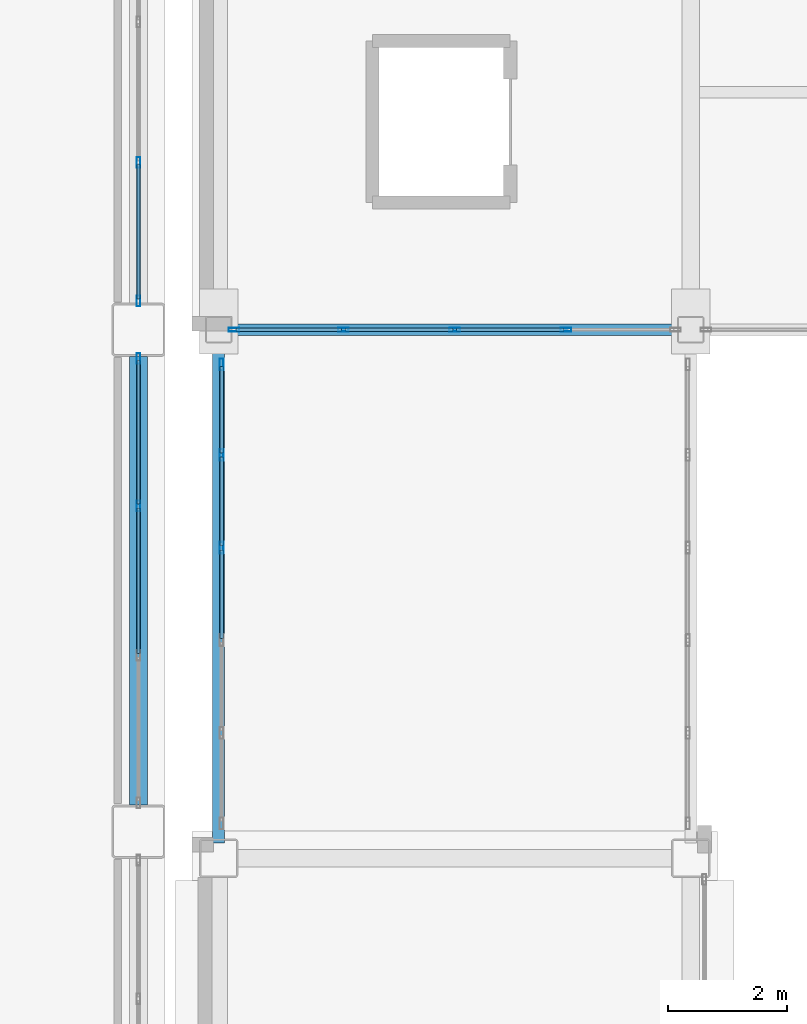
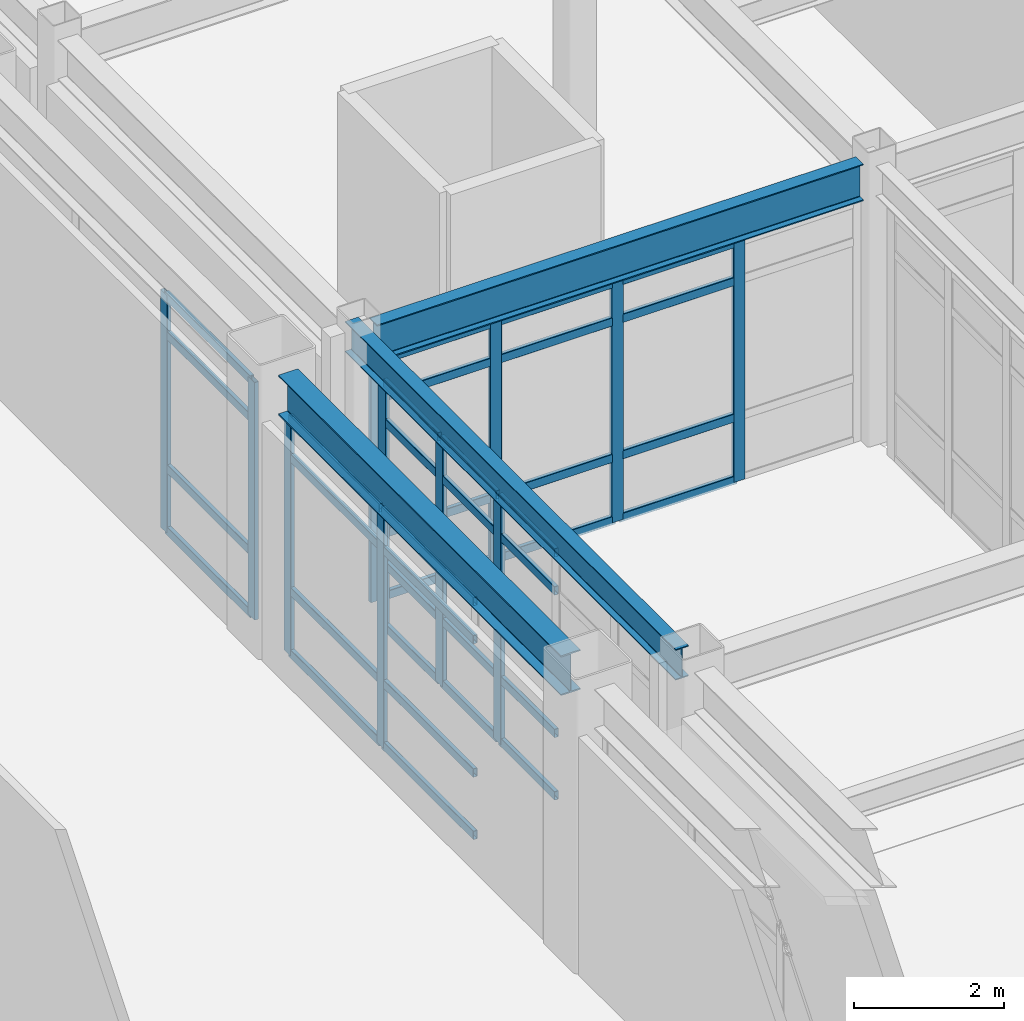
# One storey, part 65 of 172: 47 members, 3 beams, 4 elements without a shape of their own.
"""IFC4 building model written with IfcOpenShell, lengths in metres."""

from ifc_helpers import new_model, si_unit, direction, frame, origin, origin_2d, place, context, subcontext, project, spatial, hollow_rectangle, i_section, extrude, material, layer, layer_set, material_profile, profile_set, type_object, element, aggregate, save


model = new_model("IFC4")

# Units and contexts
model_context = context("Model", 3, precision=1e-05, world=origin(), true_north=direction((0.0, 1.0)))
body_context = subcontext(model_context, "Body", "Model", "MODEL_VIEW")
ifc_project = project(units=[si_unit("LENGTHUNIT", "METRE"), si_unit("AREAUNIT", "SQUARE_METRE"), si_unit("VOLUMEUNIT", "CUBIC_METRE"), si_unit("PLANEANGLEUNIT", "RADIAN"), si_unit("MASSUNIT", "GRAM", prefix="KILO")], contexts=[model_context])

# Site, building, storey
site_placement = place(None, origin())
site = spatial("IfcSite", under=ifc_project, at=site_placement, CompositionType="ELEMENT")
building_placement = place(site_placement, origin())
building = spatial("IfcBuilding", under=site, at=building_placement, Name="Kazehara Bluff Congress Hotel", CompositionType="ELEMENT")
storey_placement = place(building_placement, frame((0.0, 0.0, 5.39990234375)))
storey = spatial("IfcBuildingStorey", under=building, at=storey_placement, Name="L01", CompositionType="ELEMENT", Elevation=5.39990234375)

# Curtain wall, members
ifc_material_1 = material(Name="Anodised aluminium", Category="aluminium")
ifc_layer_1 = layer(ifc_material_1, 0.159912109375)
ifc_layer_set_1 = layer_set([ifc_layer_1], Name="Anodised aluminium")
curtain_wall_type_1 = type_object("IfcCurtainWallType", Name="TP-CW-21", PredefinedType="NOTDEFINED", material=ifc_layer_set_1)
curtain_wall_1_placement = place(storey_placement, origin())
curtain_wall_1 = element("IfcCurtainWall", 1, at=curtain_wall_1_placement, inside=storey, type_object=curtain_wall_type_1, Name="L01 curtain wall CW-21 CW-V1-L01-X5835-7290", PredefinedType="NOTDEFINED")
ifc_material_2 = material(Name="Anodised aluminium", Category="aluminium")
ifc_material_profile_1 = material_profile(ifc_material_2, hollow_rectangle(XDim=0.06494140625, YDim=0.179931640625, WallThickness=0.00390625, InnerFilletRadius=0.00390625, OuterFilletRadius=0.008056640625, at=origin_2d()))
ifc_profile_set_1 = profile_set([ifc_material_profile_1], Name="Anodised aluminium")
member_type_1 = type_object("IfcMemberType", Name="TP-CWM-02", PredefinedType="MULLION", material=ifc_profile_set_1)
member_1_placement = place(storey_placement, frame((58.35009765625, 77.933349609375, 0.0), z_axis=(0.0, 0.0, 1.0), x_axis=(-1.0, 0.0, 0.0)))
member_1 = element("IfcMember", 2, at=member_1_placement, type_object=member_type_1, Name="CW-21 mullion 3", PredefinedType="MULLION", context=body_context, shape_type="SweptSolid", body=[
    extrude(hollow_rectangle(XDim=0.06494140625, YDim=0.179931640625, WallThickness=0.00390625, InnerFilletRadius=0.00390625, OuterFilletRadius=0.008056640625, at=origin_2d()), origin(), (0.0, 0.0, 1.0), 3.875),
])
member_2_placement = place(storey_placement, frame((58.35009765625, 80.41748046875, 0.0), z_axis=(0.0, 0.0, 1.0), x_axis=(-1.0, 0.0, 0.0)))
member_2 = element("IfcMember", 3, at=member_2_placement, type_object=member_type_1, Name="CW-21 mullion 4", PredefinedType="MULLION", context=body_context, shape_type="SweptSolid", body=[
    extrude(hollow_rectangle(XDim=0.06494140625, YDim=0.179931640625, WallThickness=0.00390625, InnerFilletRadius=0.00390625, OuterFilletRadius=0.008056640625, at=origin_2d()), origin(), (0.0, 0.0, 1.0), 3.875),
])

ifc_material_3 = material(Name="Anodised aluminium", Category="aluminium")
ifc_layer_2 = layer(ifc_material_3, 0.159912109375)
ifc_layer_set_2 = layer_set([ifc_layer_2], Name="Anodised aluminium")
curtain_wall_type_2 = type_object("IfcCurtainWallType", Name="TP-CW-20", PredefinedType="NOTDEFINED", material=ifc_layer_set_2)
curtain_wall_2_placement = place(storey_placement, origin())
curtain_wall_2 = element("IfcCurtainWall", 4, at=curtain_wall_2_placement, inside=storey, type_object=curtain_wall_type_2, Name="L01 curtain wall CW-20 CW-V1-L01-X5835-8135", PredefinedType="NOTDEFINED")
member_3_placement = place(storey_placement, frame((58.35009765625, 81.382568359375, 0.0), z_axis=(0.0, 0.0, 1.0), x_axis=(-1.0, 0.0, 0.0)))
member_3 = element("IfcMember", 5, at=member_3_placement, type_object=member_type_1, Name="CW-20 mullion 1", PredefinedType="MULLION", context=body_context, shape_type="SweptSolid", body=[
    extrude(hollow_rectangle(XDim=0.06494140625, YDim=0.179931640625, WallThickness=0.00390625, InnerFilletRadius=0.00390625, OuterFilletRadius=0.008056640625, at=origin_2d()), origin(), (0.0, 0.0, 1.0), 3.875),
])
member_4_placement = place(storey_placement, frame((58.35009765625, 83.716552734375, 0.0), z_axis=(0.0, 0.0, 1.0), x_axis=(-1.0, 0.0, 0.0)))
member_4 = element("IfcMember", 6, at=member_4_placement, type_object=member_type_1, Name="CW-20 mullion 2", PredefinedType="MULLION", context=body_context, shape_type="SweptSolid", body=[
    extrude(hollow_rectangle(XDim=0.06494140625, YDim=0.179931640625, WallThickness=0.00390625, InnerFilletRadius=0.00390625, OuterFilletRadius=0.008056640625, at=origin_2d()), origin(), (0.0, 0.0, 1.0), 3.875),
])

ifc_material_4 = material(Name="Anodised aluminium", Category="aluminium")
ifc_layer_3 = layer(ifc_material_4, 0.159912109375)
ifc_layer_set_3 = layer_set([ifc_layer_3], Name="Anodised aluminium")
curtain_wall_type_3 = type_object("IfcCurtainWallType", Name="TP-CW-13", PredefinedType="NOTDEFINED", material=ifc_layer_set_3)
curtain_wall_3_placement = place(storey_placement, origin())
curtain_wall_3 = element("IfcCurtainWall", 7, at=curtain_wall_3_placement, inside=storey, type_object=curtain_wall_type_3, Name="L01 curtain wall CW-13 CW-V3-L01-Y8090-5992", PredefinedType="NOTDEFINED")
member_5_placement = place(storey_placement, frame((59.95751953125, 80.89990234375, 0.0), z_axis=(0.0, 0.0, 1.0), x_axis=(0.0, 1.0, 0.0)))
member_5 = element("IfcMember", 8, at=member_5_placement, type_object=member_type_1, Name="CW-13 mullion 1", PredefinedType="MULLION", context=body_context, shape_type="SweptSolid", body=[
    extrude(hollow_rectangle(XDim=0.06494140625, YDim=0.179931640625, WallThickness=0.00390625, InnerFilletRadius=0.00390625, OuterFilletRadius=0.008056640625, at=origin_2d()), origin(), (0.0, 0.0, 1.0), 3.925048828125),
])
member_6_placement = place(storey_placement, frame((61.800048828125, 80.89990234375, 0.0), z_axis=(0.0, 0.0, 1.0), x_axis=(0.0, 1.0, 0.0)))
member_6 = element("IfcMember", 9, at=member_6_placement, type_object=member_type_1, Name="CW-13 mullion 2", PredefinedType="MULLION", context=body_context, shape_type="SweptSolid", body=[
    extrude(hollow_rectangle(XDim=0.06494140625, YDim=0.179931640625, WallThickness=0.00390625, InnerFilletRadius=0.00390625, OuterFilletRadius=0.008056640625, at=origin_2d()), origin(), (0.0, 0.0, 1.0), 3.925048828125),
])
member_7_placement = place(storey_placement, frame((63.675048828125, 80.89990234375, 0.0), z_axis=(0.0, 0.0, 1.0), x_axis=(0.0, 1.0, 0.0)))
member_7 = element("IfcMember", 10, at=member_7_placement, type_object=member_type_1, Name="CW-13 mullion 3", PredefinedType="MULLION", context=body_context, shape_type="SweptSolid", body=[
    extrude(hollow_rectangle(XDim=0.06494140625, YDim=0.179931640625, WallThickness=0.00390625, InnerFilletRadius=0.00390625, OuterFilletRadius=0.008056640625, at=origin_2d()), origin(), (0.0, 0.0, 1.0), 3.925048828125),
])
member_8_placement = place(storey_placement, frame((65.550048828125, 80.89990234375, 0.0), z_axis=(0.0, 0.0, 1.0), x_axis=(0.0, 1.0, 0.0)))
member_8 = element("IfcMember", 11, at=member_8_placement, type_object=member_type_1, Name="CW-13 mullion 4", PredefinedType="MULLION", context=body_context, shape_type="SweptSolid", body=[
    extrude(hollow_rectangle(XDim=0.06494140625, YDim=0.179931640625, WallThickness=0.00390625, InnerFilletRadius=0.00390625, OuterFilletRadius=0.008056640625, at=origin_2d()), origin(), (0.0, 0.0, 1.0), 3.925048828125),
])

ifc_material_5 = material(Name="Anodised aluminium", Category="aluminium")
ifc_layer_4 = layer(ifc_material_5, 0.159912109375)
ifc_layer_set_4 = layer_set([ifc_layer_4], Name="Anodised aluminium")
curtain_wall_type_4 = type_object("IfcCurtainWallType", Name="TP-CW-02", PredefinedType="NOTDEFINED", material=ifc_layer_set_4)
curtain_wall_4_placement = place(storey_placement, origin())
curtain_wall_4 = element("IfcCurtainWall", 12, at=curtain_wall_4_placement, inside=storey, type_object=curtain_wall_type_4, Name="L01 curtain wall CW-02 CW-BRG-34-L01-A", PredefinedType="NOTDEFINED")
ifc_material_6 = material(Name="Anodised aluminium", Category="aluminium")
ifc_material_profile_2 = material_profile(ifc_material_6, hollow_rectangle(XDim=0.070068359375, YDim=0.199951171875, WallThickness=0.0048828125, InnerFilletRadius=0.0048828125, OuterFilletRadius=0.010009765625, at=origin_2d()))
ifc_profile_set_2 = profile_set([ifc_material_profile_2], Name="Anodised aluminium")
member_type_2 = type_object("IfcMemberType", Name="TP-CWM-03", PredefinedType="MULLION", material=ifc_profile_set_2)
member_9_placement = place(storey_placement, frame((59.75, 77.22998046875, 0.0), z_axis=(0.0, 0.0, 1.0), x_axis=(-1.0, 0.0, 0.0)))
member_9 = element("IfcMember", 13, at=member_9_placement, type_object=member_type_2, Name="CW-02 mullion 4", PredefinedType="MULLION", context=body_context, shape_type="SweptSolid", body=[
    extrude(hollow_rectangle(XDim=0.070068359375, YDim=0.199951171875, WallThickness=0.0048828125, InnerFilletRadius=0.0048828125, OuterFilletRadius=0.010009765625, at=origin_2d()), origin(), (0.0, 0.0, 1.0), 4.025146484375),
])
member_10_placement = place(storey_placement, frame((59.75, 78.7900390625, 0.0), z_axis=(0.0, 0.0, 1.0), x_axis=(-1.0, 0.0, 0.0)))
member_10 = element("IfcMember", 14, at=member_10_placement, type_object=member_type_2, Name="CW-02 mullion 5", PredefinedType="MULLION", context=body_context, shape_type="SweptSolid", body=[
    extrude(hollow_rectangle(XDim=0.070068359375, YDim=0.199951171875, WallThickness=0.0048828125, InnerFilletRadius=0.0048828125, OuterFilletRadius=0.010009765625, at=origin_2d()), origin(), (0.0, 0.0, 1.0), 4.025146484375),
])
member_11_placement = place(storey_placement, frame((59.75, 80.31494140625, 0.0), z_axis=(0.0, 0.0, 1.0), x_axis=(-1.0, 0.0, 0.0)))
member_11 = element("IfcMember", 15, at=member_11_placement, type_object=member_type_2, Name="CW-02 mullion 6", PredefinedType="MULLION", context=body_context, shape_type="SweptSolid", body=[
    extrude(hollow_rectangle(XDim=0.070068359375, YDim=0.199951171875, WallThickness=0.0048828125, InnerFilletRadius=0.0048828125, OuterFilletRadius=0.010009765625, at=origin_2d()), origin(), (0.0, 0.0, 1.0), 4.025146484375),
])
ifc_material_7 = material(Name="Anodised aluminium", Category="aluminium")
ifc_material_profile_3 = material_profile(ifc_material_7, hollow_rectangle(XDim=0.06494140625, YDim=0.139892578125, WallThickness=0.00390625, InnerFilletRadius=0.00390625, OuterFilletRadius=0.008056640625, at=origin_2d()))
ifc_profile_set_3 = profile_set([ifc_material_profile_3], Name="Anodised aluminium")
member_type_3 = type_object("IfcMemberType", Name="TP-CWT-02", PredefinedType="USERDEFINED", material=ifc_profile_set_3)
member_12_placement = place(storey_placement, frame((59.75, 75.705078125, 0.03271484375), z_axis=(0.0, 1.0, 0.0), x_axis=(-1.0, 0.0, 0.0)))
member_12 = element("IfcMember", 16, at=member_12_placement, type_object=member_type_3, Name="CW-02 transom 3.1", ObjectType="TRANSOM", PredefinedType="USERDEFINED", context=body_context, shape_type="SweptSolid", body=[
    extrude(hollow_rectangle(XDim=0.06494140625, YDim=0.139892578125, WallThickness=0.00390625, InnerFilletRadius=0.00390625, OuterFilletRadius=0.008056640625, at=origin_2d()), origin(), (0.0, 0.0, 1.0), 1.489990234375),
])
member_13_placement = place(storey_placement, frame((59.75, 75.705078125, 1.050048828125), z_axis=(0.0, 1.0, 0.0), x_axis=(-1.0, 0.0, 0.0)))
member_13 = element("IfcMember", 17, at=member_13_placement, type_object=member_type_3, Name="CW-02 transom 3.2", ObjectType="TRANSOM", PredefinedType="USERDEFINED", context=body_context, shape_type="SweptSolid", body=[
    extrude(hollow_rectangle(XDim=0.06494140625, YDim=0.139892578125, WallThickness=0.00390625, InnerFilletRadius=0.00390625, OuterFilletRadius=0.008056640625, at=origin_2d()), origin(), (0.0, 0.0, 1.0), 1.489990234375),
])
member_14_placement = place(storey_placement, frame((59.75, 75.705078125, 3.375), z_axis=(0.0, 1.0, 0.0), x_axis=(-1.0, 0.0, 0.0)))
member_14 = element("IfcMember", 18, at=member_14_placement, type_object=member_type_3, Name="CW-02 transom 3.3", ObjectType="TRANSOM", PredefinedType="USERDEFINED", context=body_context, shape_type="SweptSolid", body=[
    extrude(hollow_rectangle(XDim=0.06494140625, YDim=0.139892578125, WallThickness=0.00390625, InnerFilletRadius=0.00390625, OuterFilletRadius=0.008056640625, at=origin_2d()), origin(), (0.0, 0.0, 1.0), 1.489990234375),
])
member_15_placement = place(storey_placement, frame((59.75, 75.705078125, 3.99267578125), z_axis=(0.0, 1.0, 0.0), x_axis=(-1.0, 0.0, 0.0)))
member_15 = element("IfcMember", 19, at=member_15_placement, type_object=member_type_3, Name="CW-02 transom 3.4", ObjectType="TRANSOM", PredefinedType="USERDEFINED", context=body_context, shape_type="SweptSolid", body=[
    extrude(hollow_rectangle(XDim=0.06494140625, YDim=0.139892578125, WallThickness=0.00390625, InnerFilletRadius=0.00390625, OuterFilletRadius=0.008056640625, at=origin_2d()), origin(), (0.0, 0.0, 1.0), 1.489990234375),
])
member_16_placement = place(storey_placement, frame((59.75, 77.264892578125, 0.03271484375), z_axis=(0.0, 1.0, 0.0), x_axis=(-1.0, 0.0, 0.0)))
member_16 = element("IfcMember", 20, at=member_16_placement, type_object=member_type_3, Name="CW-02 transom 4.1", ObjectType="TRANSOM", PredefinedType="USERDEFINED", context=body_context, shape_type="SweptSolid", body=[
    extrude(hollow_rectangle(XDim=0.06494140625, YDim=0.139892578125, WallThickness=0.00390625, InnerFilletRadius=0.00390625, OuterFilletRadius=0.008056640625, at=origin_2d()), origin(), (0.0, 0.0, 1.0), 1.489990234375),
])
member_17_placement = place(storey_placement, frame((59.75, 77.264892578125, 1.050048828125), z_axis=(0.0, 1.0, 0.0), x_axis=(-1.0, 0.0, 0.0)))
member_17 = element("IfcMember", 21, at=member_17_placement, type_object=member_type_3, Name="CW-02 transom 4.2", ObjectType="TRANSOM", PredefinedType="USERDEFINED", context=body_context, shape_type="SweptSolid", body=[
    extrude(hollow_rectangle(XDim=0.06494140625, YDim=0.139892578125, WallThickness=0.00390625, InnerFilletRadius=0.00390625, OuterFilletRadius=0.008056640625, at=origin_2d()), origin(), (0.0, 0.0, 1.0), 1.489990234375),
])
member_18_placement = place(storey_placement, frame((59.75, 77.264892578125, 3.375), z_axis=(0.0, 1.0, 0.0), x_axis=(-1.0, 0.0, 0.0)))
member_18 = element("IfcMember", 22, at=member_18_placement, type_object=member_type_3, Name="CW-02 transom 4.3", ObjectType="TRANSOM", PredefinedType="USERDEFINED", context=body_context, shape_type="SweptSolid", body=[
    extrude(hollow_rectangle(XDim=0.06494140625, YDim=0.139892578125, WallThickness=0.00390625, InnerFilletRadius=0.00390625, OuterFilletRadius=0.008056640625, at=origin_2d()), origin(), (0.0, 0.0, 1.0), 1.489990234375),
])
member_19_placement = place(storey_placement, frame((59.75, 77.264892578125, 3.99267578125), z_axis=(0.0, 1.0, 0.0), x_axis=(-1.0, 0.0, 0.0)))
member_19 = element("IfcMember", 23, at=member_19_placement, type_object=member_type_3, Name="CW-02 transom 4.4", ObjectType="TRANSOM", PredefinedType="USERDEFINED", context=body_context, shape_type="SweptSolid", body=[
    extrude(hollow_rectangle(XDim=0.06494140625, YDim=0.139892578125, WallThickness=0.00390625, InnerFilletRadius=0.00390625, OuterFilletRadius=0.008056640625, at=origin_2d()), origin(), (0.0, 0.0, 1.0), 1.489990234375),
])
member_20_placement = place(storey_placement, frame((59.75, 78.824951171875, 0.03271484375), z_axis=(0.0, 1.0, 0.0), x_axis=(-1.0, 0.0, 0.0)))
member_20 = element("IfcMember", 24, at=member_20_placement, type_object=member_type_3, Name="CW-02 transom 5.1", ObjectType="TRANSOM", PredefinedType="USERDEFINED", context=body_context, shape_type="SweptSolid", body=[
    extrude(hollow_rectangle(XDim=0.06494140625, YDim=0.139892578125, WallThickness=0.00390625, InnerFilletRadius=0.00390625, OuterFilletRadius=0.008056640625, at=origin_2d()), origin(), (0.0, 0.0, 1.0), 1.455078125),
])
member_21_placement = place(storey_placement, frame((59.75, 78.824951171875, 1.050048828125), z_axis=(0.0, 1.0, 0.0), x_axis=(-1.0, 0.0, 0.0)))
member_21 = element("IfcMember", 25, at=member_21_placement, type_object=member_type_3, Name="CW-02 transom 5.2", ObjectType="TRANSOM", PredefinedType="USERDEFINED", context=body_context, shape_type="SweptSolid", body=[
    extrude(hollow_rectangle(XDim=0.06494140625, YDim=0.139892578125, WallThickness=0.00390625, InnerFilletRadius=0.00390625, OuterFilletRadius=0.008056640625, at=origin_2d()), origin(), (0.0, 0.0, 1.0), 1.455078125),
])
member_22_placement = place(storey_placement, frame((59.75, 78.824951171875, 3.375), z_axis=(0.0, 1.0, 0.0), x_axis=(-1.0, 0.0, 0.0)))
member_22 = element("IfcMember", 26, at=member_22_placement, type_object=member_type_3, Name="CW-02 transom 5.3", ObjectType="TRANSOM", PredefinedType="USERDEFINED", context=body_context, shape_type="SweptSolid", body=[
    extrude(hollow_rectangle(XDim=0.06494140625, YDim=0.139892578125, WallThickness=0.00390625, InnerFilletRadius=0.00390625, OuterFilletRadius=0.008056640625, at=origin_2d()), origin(), (0.0, 0.0, 1.0), 1.455078125),
])
member_23_placement = place(storey_placement, frame((59.75, 78.824951171875, 3.99267578125), z_axis=(0.0, 1.0, 0.0), x_axis=(-1.0, 0.0, 0.0)))
member_23 = element("IfcMember", 27, at=member_23_placement, type_object=member_type_3, Name="CW-02 transom 5.4", ObjectType="TRANSOM", PredefinedType="USERDEFINED", context=body_context, shape_type="SweptSolid", body=[
    extrude(hollow_rectangle(XDim=0.06494140625, YDim=0.139892578125, WallThickness=0.00390625, InnerFilletRadius=0.00390625, OuterFilletRadius=0.008056640625, at=origin_2d()), origin(), (0.0, 0.0, 1.0), 1.455078125),
])
aggregate(curtain_wall_4, [member_9, member_10, member_11, member_12, member_13, member_14, member_15, member_16, member_17, member_18, member_19, member_20, member_21, member_22, member_23])

# Member
member_24_placement = place(storey_placement, frame((58.35009765625, 75.44921875, 0.03271484375), z_axis=(0.0, 1.0, 0.0), x_axis=(-1.0, 0.0, 0.0)))
member_24 = element("IfcMember", 28, at=member_24_placement, type_object=member_type_3, Name="CW-21 transom 2.1", ObjectType="TRANSOM", PredefinedType="USERDEFINED", context=body_context, shape_type="SweptSolid", body=[
    extrude(hollow_rectangle(XDim=0.06494140625, YDim=0.139892578125, WallThickness=0.00390625, InnerFilletRadius=0.00390625, OuterFilletRadius=0.008056640625, at=origin_2d()), origin(), (0.0, 0.0, 1.0), 2.45166015625),
])

member_25_placement = place(storey_placement, frame((58.35009765625, 75.44921875, 1.050048828125), z_axis=(0.0, 1.0, 0.0), x_axis=(-1.0, 0.0, 0.0)))
member_25 = element("IfcMember", 29, at=member_25_placement, type_object=member_type_3, Name="CW-21 transom 2.2", ObjectType="TRANSOM", PredefinedType="USERDEFINED", context=body_context, shape_type="SweptSolid", body=[
    extrude(hollow_rectangle(XDim=0.06494140625, YDim=0.139892578125, WallThickness=0.00390625, InnerFilletRadius=0.00390625, OuterFilletRadius=0.008056640625, at=origin_2d()), origin(), (0.0, 0.0, 1.0), 2.45166015625),
])

member_26_placement = place(storey_placement, frame((58.35009765625, 75.44921875, 3.22509765625), z_axis=(0.0, 1.0, 0.0), x_axis=(-1.0, 0.0, 0.0)))
member_26 = element("IfcMember", 30, at=member_26_placement, type_object=member_type_3, Name="CW-21 transom 2.3", ObjectType="TRANSOM", PredefinedType="USERDEFINED", context=body_context, shape_type="SweptSolid", body=[
    extrude(hollow_rectangle(XDim=0.06494140625, YDim=0.139892578125, WallThickness=0.00390625, InnerFilletRadius=0.00390625, OuterFilletRadius=0.008056640625, at=origin_2d()), origin(), (0.0, 0.0, 1.0), 2.45166015625),
])

member_27_placement = place(storey_placement, frame((58.35009765625, 75.44921875, 3.842529296875), z_axis=(0.0, 1.0, 0.0), x_axis=(-1.0, 0.0, 0.0)))
member_27 = element("IfcMember", 31, at=member_27_placement, type_object=member_type_3, Name="CW-21 transom 2.4", ObjectType="TRANSOM", PredefinedType="USERDEFINED", context=body_context, shape_type="SweptSolid", body=[
    extrude(hollow_rectangle(XDim=0.06494140625, YDim=0.139892578125, WallThickness=0.00390625, InnerFilletRadius=0.00390625, OuterFilletRadius=0.008056640625, at=origin_2d()), origin(), (0.0, 0.0, 1.0), 2.45166015625),
])

member_28_placement = place(storey_placement, frame((58.35009765625, 77.9658203125, 0.03271484375), z_axis=(0.0, 1.0, 0.0), x_axis=(-1.0, 0.0, 0.0)))
member_28 = element("IfcMember", 32, at=member_28_placement, type_object=member_type_3, Name="CW-21 transom 3.1", ObjectType="TRANSOM", PredefinedType="USERDEFINED", context=body_context, shape_type="SweptSolid", body=[
    extrude(hollow_rectangle(XDim=0.06494140625, YDim=0.139892578125, WallThickness=0.00390625, InnerFilletRadius=0.00390625, OuterFilletRadius=0.008056640625, at=origin_2d()), origin(), (0.0, 0.0, 1.0), 2.419189453125),
])

member_29_placement = place(storey_placement, frame((58.35009765625, 77.9658203125, 1.050048828125), z_axis=(0.0, 1.0, 0.0), x_axis=(-1.0, 0.0, 0.0)))
member_29 = element("IfcMember", 33, at=member_29_placement, type_object=member_type_3, Name="CW-21 transom 3.2", ObjectType="TRANSOM", PredefinedType="USERDEFINED", context=body_context, shape_type="SweptSolid", body=[
    extrude(hollow_rectangle(XDim=0.06494140625, YDim=0.139892578125, WallThickness=0.00390625, InnerFilletRadius=0.00390625, OuterFilletRadius=0.008056640625, at=origin_2d()), origin(), (0.0, 0.0, 1.0), 2.419189453125),
])

member_30_placement = place(storey_placement, frame((58.35009765625, 77.9658203125, 3.22509765625), z_axis=(0.0, 1.0, 0.0), x_axis=(-1.0, 0.0, 0.0)))
member_30 = element("IfcMember", 34, at=member_30_placement, type_object=member_type_3, Name="CW-21 transom 3.3", ObjectType="TRANSOM", PredefinedType="USERDEFINED", context=body_context, shape_type="SweptSolid", body=[
    extrude(hollow_rectangle(XDim=0.06494140625, YDim=0.139892578125, WallThickness=0.00390625, InnerFilletRadius=0.00390625, OuterFilletRadius=0.008056640625, at=origin_2d()), origin(), (0.0, 0.0, 1.0), 2.419189453125),
])

member_31_placement = place(storey_placement, frame((58.35009765625, 77.9658203125, 3.842529296875), z_axis=(0.0, 1.0, 0.0), x_axis=(-1.0, 0.0, 0.0)))
member_31 = element("IfcMember", 35, at=member_31_placement, type_object=member_type_3, Name="CW-21 transom 3.4", ObjectType="TRANSOM", PredefinedType="USERDEFINED", context=body_context, shape_type="SweptSolid", body=[
    extrude(hollow_rectangle(XDim=0.06494140625, YDim=0.139892578125, WallThickness=0.00390625, InnerFilletRadius=0.00390625, OuterFilletRadius=0.008056640625, at=origin_2d()), origin(), (0.0, 0.0, 1.0), 2.419189453125),
])

aggregate(curtain_wall_1, [member_1, member_2, member_24, member_25, member_26, member_27, member_28, member_29, member_30, member_31])

member_32_placement = place(storey_placement, frame((58.35009765625, 81.4150390625, 0.03271484375), z_axis=(0.0, 1.0, 0.0), x_axis=(-1.0, 0.0, 0.0)))
member_32 = element("IfcMember", 36, at=member_32_placement, type_object=member_type_3, Name="CW-20 transom 1.1", ObjectType="TRANSOM", PredefinedType="USERDEFINED", context=body_context, shape_type="SweptSolid", body=[
    extrude(hollow_rectangle(XDim=0.06494140625, YDim=0.139892578125, WallThickness=0.00390625, InnerFilletRadius=0.00390625, OuterFilletRadius=0.008056640625, at=origin_2d()), origin(), (0.0, 0.0, 1.0), 2.26904296875),
])

member_33_placement = place(storey_placement, frame((58.35009765625, 81.4150390625, 1.050048828125), z_axis=(0.0, 1.0, 0.0), x_axis=(-1.0, 0.0, 0.0)))
member_33 = element("IfcMember", 37, at=member_33_placement, type_object=member_type_3, Name="CW-20 transom 1.2", ObjectType="TRANSOM", PredefinedType="USERDEFINED", context=body_context, shape_type="SweptSolid", body=[
    extrude(hollow_rectangle(XDim=0.06494140625, YDim=0.139892578125, WallThickness=0.00390625, InnerFilletRadius=0.00390625, OuterFilletRadius=0.008056640625, at=origin_2d()), origin(), (0.0, 0.0, 1.0), 2.26904296875),
])

member_34_placement = place(storey_placement, frame((58.35009765625, 81.4150390625, 3.22509765625), z_axis=(0.0, 1.0, 0.0), x_axis=(-1.0, 0.0, 0.0)))
member_34 = element("IfcMember", 38, at=member_34_placement, type_object=member_type_3, Name="CW-20 transom 1.3", ObjectType="TRANSOM", PredefinedType="USERDEFINED", context=body_context, shape_type="SweptSolid", body=[
    extrude(hollow_rectangle(XDim=0.06494140625, YDim=0.139892578125, WallThickness=0.00390625, InnerFilletRadius=0.00390625, OuterFilletRadius=0.008056640625, at=origin_2d()), origin(), (0.0, 0.0, 1.0), 2.26904296875),
])

member_35_placement = place(storey_placement, frame((58.35009765625, 81.4150390625, 3.842529296875), z_axis=(0.0, 1.0, 0.0), x_axis=(-1.0, 0.0, 0.0)))
member_35 = element("IfcMember", 39, at=member_35_placement, type_object=member_type_3, Name="CW-20 transom 1.4", ObjectType="TRANSOM", PredefinedType="USERDEFINED", context=body_context, shape_type="SweptSolid", body=[
    extrude(hollow_rectangle(XDim=0.06494140625, YDim=0.139892578125, WallThickness=0.00390625, InnerFilletRadius=0.00390625, OuterFilletRadius=0.008056640625, at=origin_2d()), origin(), (0.0, 0.0, 1.0), 2.26904296875),
])

aggregate(curtain_wall_2, [member_3, member_4, member_32, member_33, member_34, member_35])

member_36_placement = place(storey_placement, frame((59.989990234375, 80.89990234375, 0.03271484375), z_axis=(1.0, 0.0, 0.0), x_axis=(0.0, 1.0, 0.0)))
member_36 = element("IfcMember", 40, at=member_36_placement, type_object=member_type_3, Name="CW-13 transom 1.1", ObjectType="TRANSOM", PredefinedType="USERDEFINED", context=body_context, shape_type="SweptSolid", body=[
    extrude(hollow_rectangle(XDim=0.06494140625, YDim=0.139892578125, WallThickness=0.00390625, InnerFilletRadius=0.00390625, OuterFilletRadius=0.008056640625, at=origin_2d()), origin(), (0.0, 0.0, 1.0), 1.777587890625),
])

member_37_placement = place(storey_placement, frame((59.989990234375, 80.89990234375, 1.050048828125), z_axis=(1.0, 0.0, 0.0), x_axis=(0.0, 1.0, 0.0)))
member_37 = element("IfcMember", 41, at=member_37_placement, type_object=member_type_3, Name="CW-13 transom 1.2", ObjectType="TRANSOM", PredefinedType="USERDEFINED", context=body_context, shape_type="SweptSolid", body=[
    extrude(hollow_rectangle(XDim=0.06494140625, YDim=0.139892578125, WallThickness=0.00390625, InnerFilletRadius=0.00390625, OuterFilletRadius=0.008056640625, at=origin_2d()), origin(), (0.0, 0.0, 1.0), 1.777587890625),
])

member_38_placement = place(storey_placement, frame((59.989990234375, 80.89990234375, 3.275146484375), z_axis=(1.0, 0.0, 0.0), x_axis=(0.0, 1.0, 0.0)))
member_38 = element("IfcMember", 42, at=member_38_placement, type_object=member_type_3, Name="CW-13 transom 1.3", ObjectType="TRANSOM", PredefinedType="USERDEFINED", context=body_context, shape_type="SweptSolid", body=[
    extrude(hollow_rectangle(XDim=0.06494140625, YDim=0.139892578125, WallThickness=0.00390625, InnerFilletRadius=0.00390625, OuterFilletRadius=0.008056640625, at=origin_2d()), origin(), (0.0, 0.0, 1.0), 1.777587890625),
])

member_39_placement = place(storey_placement, frame((59.989990234375, 80.89990234375, 3.892578125), z_axis=(1.0, 0.0, 0.0), x_axis=(0.0, 1.0, 0.0)))
member_39 = element("IfcMember", 43, at=member_39_placement, type_object=member_type_3, Name="CW-13 transom 1.4", ObjectType="TRANSOM", PredefinedType="USERDEFINED", context=body_context, shape_type="SweptSolid", body=[
    extrude(hollow_rectangle(XDim=0.06494140625, YDim=0.139892578125, WallThickness=0.00390625, InnerFilletRadius=0.00390625, OuterFilletRadius=0.008056640625, at=origin_2d()), origin(), (0.0, 0.0, 1.0), 1.777587890625),
])

member_40_placement = place(storey_placement, frame((61.83251953125, 80.89990234375, 0.03271484375), z_axis=(1.0, 0.0, 0.0), x_axis=(0.0, 1.0, 0.0)))
member_40 = element("IfcMember", 44, at=member_40_placement, type_object=member_type_3, Name="CW-13 transom 2.1", ObjectType="TRANSOM", PredefinedType="USERDEFINED", context=body_context, shape_type="SweptSolid", body=[
    extrude(hollow_rectangle(XDim=0.06494140625, YDim=0.139892578125, WallThickness=0.00390625, InnerFilletRadius=0.00390625, OuterFilletRadius=0.008056640625, at=origin_2d()), origin(), (0.0, 0.0, 1.0), 1.81005859375),
])

member_41_placement = place(storey_placement, frame((61.83251953125, 80.89990234375, 1.050048828125), z_axis=(1.0, 0.0, 0.0), x_axis=(0.0, 1.0, 0.0)))
member_41 = element("IfcMember", 45, at=member_41_placement, type_object=member_type_3, Name="CW-13 transom 2.2", ObjectType="TRANSOM", PredefinedType="USERDEFINED", context=body_context, shape_type="SweptSolid", body=[
    extrude(hollow_rectangle(XDim=0.06494140625, YDim=0.139892578125, WallThickness=0.00390625, InnerFilletRadius=0.00390625, OuterFilletRadius=0.008056640625, at=origin_2d()), origin(), (0.0, 0.0, 1.0), 1.81005859375),
])

member_42_placement = place(storey_placement, frame((61.83251953125, 80.89990234375, 3.275146484375), z_axis=(1.0, 0.0, 0.0), x_axis=(0.0, 1.0, 0.0)))
member_42 = element("IfcMember", 46, at=member_42_placement, type_object=member_type_3, Name="CW-13 transom 2.3", ObjectType="TRANSOM", PredefinedType="USERDEFINED", context=body_context, shape_type="SweptSolid", body=[
    extrude(hollow_rectangle(XDim=0.06494140625, YDim=0.139892578125, WallThickness=0.00390625, InnerFilletRadius=0.00390625, OuterFilletRadius=0.008056640625, at=origin_2d()), origin(), (0.0, 0.0, 1.0), 1.81005859375),
])

member_43_placement = place(storey_placement, frame((61.83251953125, 80.89990234375, 3.892578125), z_axis=(1.0, 0.0, 0.0), x_axis=(0.0, 1.0, 0.0)))
member_43 = element("IfcMember", 47, at=member_43_placement, type_object=member_type_3, Name="CW-13 transom 2.4", ObjectType="TRANSOM", PredefinedType="USERDEFINED", context=body_context, shape_type="SweptSolid", body=[
    extrude(hollow_rectangle(XDim=0.06494140625, YDim=0.139892578125, WallThickness=0.00390625, InnerFilletRadius=0.00390625, OuterFilletRadius=0.008056640625, at=origin_2d()), origin(), (0.0, 0.0, 1.0), 1.81005859375),
])

member_44_placement = place(storey_placement, frame((63.70751953125, 80.89990234375, 0.03271484375), z_axis=(1.0, 0.0, 0.0), x_axis=(0.0, 1.0, 0.0)))
member_44 = element("IfcMember", 48, at=member_44_placement, type_object=member_type_3, Name="CW-13 transom 3.1", ObjectType="TRANSOM", PredefinedType="USERDEFINED", context=body_context, shape_type="SweptSolid", body=[
    extrude(hollow_rectangle(XDim=0.06494140625, YDim=0.139892578125, WallThickness=0.00390625, InnerFilletRadius=0.00390625, OuterFilletRadius=0.008056640625, at=origin_2d()), origin(), (0.0, 0.0, 1.0), 1.81005859375),
])

member_45_placement = place(storey_placement, frame((63.70751953125, 80.89990234375, 1.050048828125), z_axis=(1.0, 0.0, 0.0), x_axis=(0.0, 1.0, 0.0)))
member_45 = element("IfcMember", 49, at=member_45_placement, type_object=member_type_3, Name="CW-13 transom 3.2", ObjectType="TRANSOM", PredefinedType="USERDEFINED", context=body_context, shape_type="SweptSolid", body=[
    extrude(hollow_rectangle(XDim=0.06494140625, YDim=0.139892578125, WallThickness=0.00390625, InnerFilletRadius=0.00390625, OuterFilletRadius=0.008056640625, at=origin_2d()), origin(), (0.0, 0.0, 1.0), 1.81005859375),
])

member_46_placement = place(storey_placement, frame((63.70751953125, 80.89990234375, 3.275146484375), z_axis=(1.0, 0.0, 0.0), x_axis=(0.0, 1.0, 0.0)))
member_46 = element("IfcMember", 50, at=member_46_placement, type_object=member_type_3, Name="CW-13 transom 3.3", ObjectType="TRANSOM", PredefinedType="USERDEFINED", context=body_context, shape_type="SweptSolid", body=[
    extrude(hollow_rectangle(XDim=0.06494140625, YDim=0.139892578125, WallThickness=0.00390625, InnerFilletRadius=0.00390625, OuterFilletRadius=0.008056640625, at=origin_2d()), origin(), (0.0, 0.0, 1.0), 1.81005859375),
])

member_47_placement = place(storey_placement, frame((63.70751953125, 80.89990234375, 3.892578125), z_axis=(1.0, 0.0, 0.0), x_axis=(0.0, 1.0, 0.0)))
member_47 = element("IfcMember", 51, at=member_47_placement, type_object=member_type_3, Name="CW-13 transom 3.4", ObjectType="TRANSOM", PredefinedType="USERDEFINED", context=body_context, shape_type="SweptSolid", body=[
    extrude(hollow_rectangle(XDim=0.06494140625, YDim=0.139892578125, WallThickness=0.00390625, InnerFilletRadius=0.00390625, OuterFilletRadius=0.008056640625, at=origin_2d()), origin(), (0.0, 0.0, 1.0), 1.81005859375),
])

aggregate(curtain_wall_3, [member_5, member_6, member_7, member_8, member_36, member_37, member_38, member_39, member_40, member_41, member_42, member_43, member_44, member_45, member_46, member_47])

# Beams
ifc_material_8 = material(Name="Steel SN490B", Category="steel")
ifc_material_profile_4 = material_profile(ifc_material_8, i_section(OverallWidth=0.199951171875, OverallDepth=0.5, WebThickness=0.010009765625, FlangeThickness=0.01611328125, FilletRadius=0.012939453125, at=origin_2d()))
ifc_profile_set_4 = profile_set([ifc_material_profile_4], Name="Steel SN490B")
beam_type_1 = type_object("IfcBeamType", Name="TP-G-01", PredefinedType="BEAM", material=ifc_profile_set_4)
beam_1_placement = place(storey_placement, frame((59.699951171875, 72.260009765625, 4.300048828125), z_axis=(0.0, 1.0, 0.0), x_axis=(-1.0, 0.0, 0.0)))
element("IfcBeam", 52, at=beam_1_placement, inside=storey, type_object=beam_type_1, Name="Bridge edge beam BRG-34 L02-1", PredefinedType="BEAM", context=body_context, shape_type="SweptSolid", body=[
    extrude(i_section(OverallWidth=0.199951171875, OverallDepth=0.5, WebThickness=0.010009765625, FlangeThickness=0.01611328125, FilletRadius=0.012939453125, at=origin_2d()), origin(), (0.0, 0.0, 1.0), 8.830078125),
])
ifc_material_9 = material(Name="Steel SN490B", Category="steel")
ifc_material_profile_5 = material_profile(ifc_material_9, i_section(OverallWidth=0.300048828125, OverallDepth=0.64990234375, WebThickness=0.011962890625, FlangeThickness=0.02001953125, FilletRadius=0.012939453125, at=origin_2d()))
ifc_profile_set_5 = profile_set([ifc_material_profile_5], Name="Steel SN490B")
beam_type_2 = type_object("IfcBeamType", Name="TP-G-03", PredefinedType="BEAM", material=ifc_profile_set_5)
beam_2_placement = place(storey_placement, frame((58.35009765625, 72.89990234375, 4.22509765625), z_axis=(0.0, 1.0, 0.0), x_axis=(-1.0, 0.0, 0.0)))
element("IfcBeam", 53, at=beam_2_placement, inside=storey, type_object=beam_type_2, Name="L01 girder G-03 20", PredefinedType="BEAM", context=body_context, shape_type="SweptSolid", body=[
    extrude(i_section(OverallWidth=0.300048828125, OverallDepth=0.64990234375, WebThickness=0.011962890625, FlangeThickness=0.02001953125, FilletRadius=0.012939453125, at=origin_2d()), origin(), (0.0, 0.0, 1.0), 7.550048828125),
])
ifc_material_10 = material(Name="Steel SN490B", Category="steel")
ifc_material_profile_6 = material_profile(ifc_material_10, i_section(OverallWidth=0.199951171875, OverallDepth=0.60009765625, WebThickness=0.010986328125, FlangeThickness=0.01708984375, FilletRadius=0.012939453125, at=origin_2d()))
ifc_profile_set_6 = profile_set([ifc_material_profile_6], Name="Steel SN490B")
beam_type_3 = type_object("IfcBeamType", Name="TP-SP-02", PredefinedType="SPANDREL", material=ifc_profile_set_6)
beam_3_placement = place(storey_placement, frame((59.925048828125, 80.89990234375, 4.25), z_axis=(1.0, 0.0, 0.0), x_axis=(0.0, 1.0, 0.0)))
element("IfcBeam", 54, at=beam_3_placement, inside=storey, type_object=beam_type_3, Name="L01 girder SP-02 123", PredefinedType="SPANDREL", context=body_context, shape_type="SweptSolid", body=[
    extrude(i_section(OverallWidth=0.199951171875, OverallDepth=0.60009765625, WebThickness=0.010986328125, FlangeThickness=0.01708984375, FilletRadius=0.012939453125, at=origin_2d()), origin(), (0.0, 0.0, 1.0), 7.5),
])

save(model, "model.ifc")
